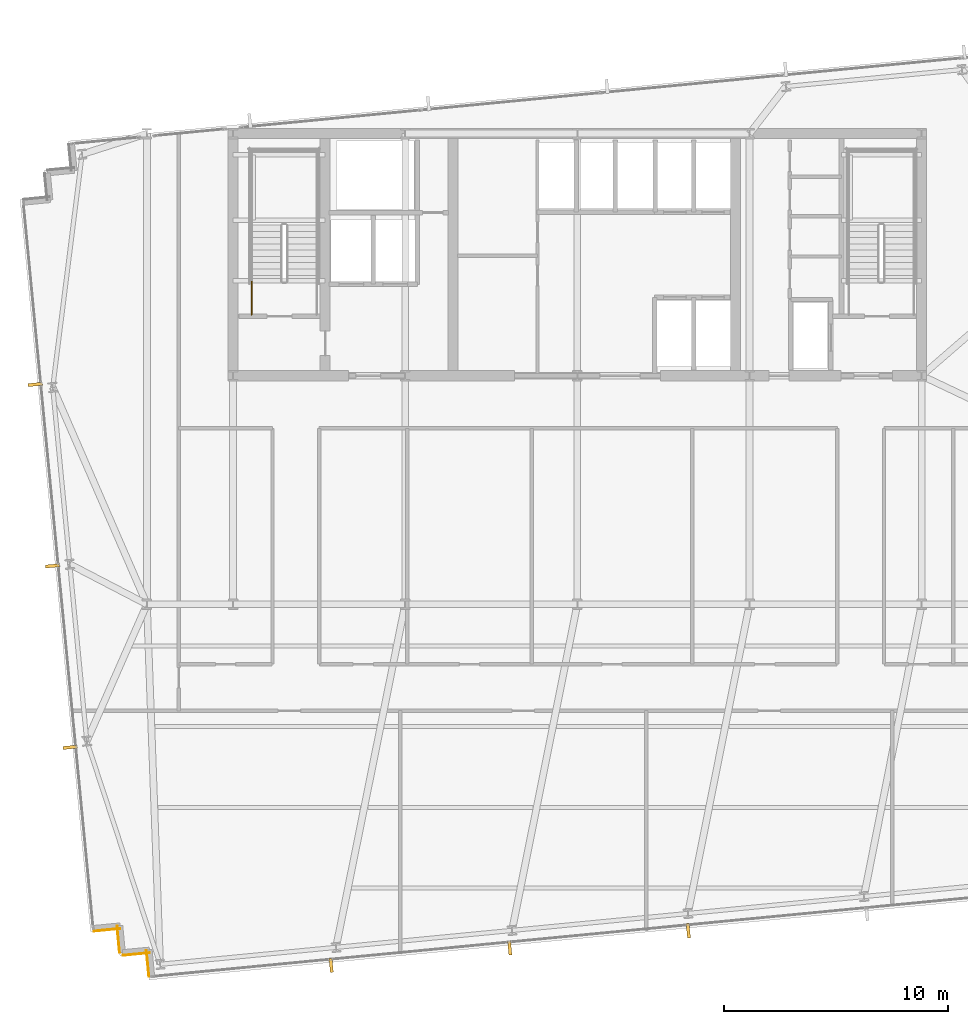
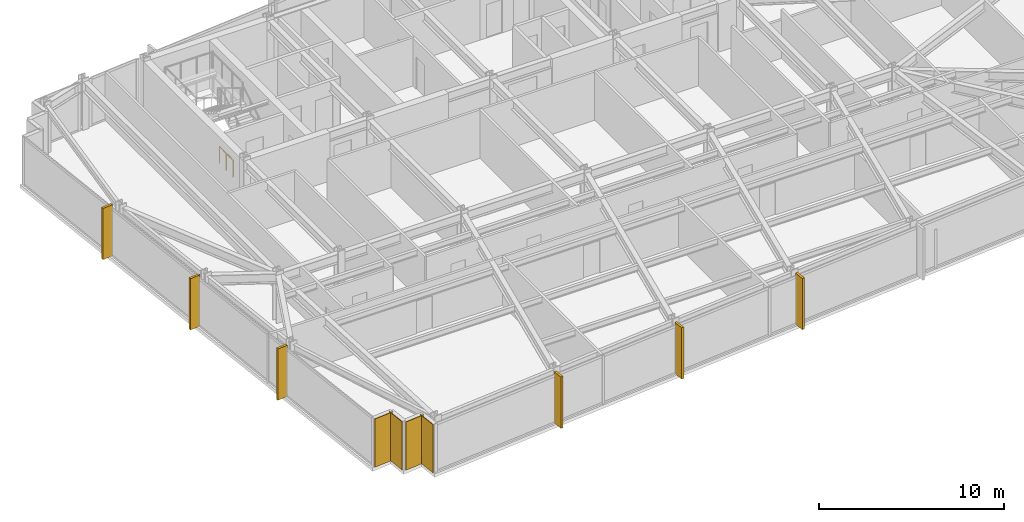
# One storey, part 28 of 33: 6 shading devices, 4 coverings, 1 railing.
"""IFC4 building model written with IfcOpenShell, lengths in metres."""

from ifc_helpers import new_model, si_unit, direction, frame, frame_2d, origin, origin_2d, place, context, subcontext, project, spatial, rectangle, circle, extrude, material, layer, layer_set, type_object, element, save


model = new_model("IFC4")

# Units and contexts
model_context = context("Model", 3, precision=1e-05, world=origin(), true_north=direction((0.0, 1.0)))
body_context = subcontext(model_context, "Body", "Model", "MODEL_VIEW")
ifc_project = project(units=[si_unit("LENGTHUNIT", "METRE"), si_unit("AREAUNIT", "SQUARE_METRE"), si_unit("VOLUMEUNIT", "CUBIC_METRE"), si_unit("PLANEANGLEUNIT", "RADIAN"), si_unit("MASSUNIT", "GRAM", prefix="KILO")], contexts=[model_context])

# Site, building, storey
site_placement = place(None, origin())
site = spatial("IfcSite", under=ifc_project, at=site_placement, CompositionType="ELEMENT")
building_placement = place(site_placement, origin())
building = spatial("IfcBuilding", under=site, at=building_placement, Name="Yelkora Congress Tower", CompositionType="ELEMENT")
storey_placement = place(building_placement, frame((0.0, 0.0, 127.10009765625)))
storey = spatial("IfcBuildingStorey", under=building, at=storey_placement, Name="L34", CompositionType="ELEMENT", Elevation=127.10009765625)

# Coverings
ifc_material_1 = material(Name="Anatolian bush-hammered limestone", Category="masonry")
ifc_layer_1 = layer(ifc_material_1, 0.0400390625)
ifc_layer_set_1 = layer_set([ifc_layer_1], Name="Anatolian bush-hammered limestone")
covering_type = type_object("IfcCoveringType", Name="COV-CLAD-SPANDREL-40", PredefinedType="CLADDING", material=ifc_layer_set_1)
covering_1_placement = place(storey_placement, frame((19.29248046875, 8.58447265625, 0.0), z_axis=(0.0, 0.0, 1.0), x_axis=(-0.095836473879, 0.995397091755, 0.0)))
element("IfcCovering", 1, at=covering_1_placement, inside=storey, type_object=covering_type, Name="L34 Anatolian Limestone Cladding EW-L34-SR01", PredefinedType="CLADDING", context=body_context, shape_type="SweptSolid", body=[
    extrude(rectangle(XDim=1.199951171875, YDim=0.0400390625, at=frame_2d((0.60009765625, 0.0))), origin(), (0.0, 0.0, 1.0), 3.179931640625),
])
for number, where, z_axis, x_axis, name in (
    (2, (19.32470703125, 9.657470703125, 0.0), (0.0, 0.0, 1.0), (-0.995398960025, -0.095817067274, 0.0), "L34 Anatolian Limestone Cladding EW-L34-SR02"),
    (3, (17.98291015625, 9.663818359375, 0.0), (0.0, 0.0, 1.0), (-0.095817067274, 0.995398960025, 0.0), "L34 Anatolian Limestone Cladding EW-L34-SR03"),
):
    element("IfcCovering", number, at=place(storey_placement, frame(where, z_axis=z_axis, x_axis=x_axis)), inside=storey, type_object=covering_type, Name=name, PredefinedType="CLADDING", context=body_context, shape_type="SweptSolid", body=[
        extrude(rectangle(XDim=1.2001953125, YDim=0.0400390625, at=frame_2d((0.60009765625, 0.0))), origin(), (0.0, 0.0, 1.0), 3.179931640625),
    ])
covering_2_placement = place(storey_placement, frame((18.01513671875, 10.737060546875, 0.0), z_axis=(0.0, 0.0, 1.0), x_axis=(-0.995397091755, -0.095836473879, 0.0)))
element("IfcCovering", 4, at=covering_2_placement, inside=storey, type_object=covering_type, Name="L34 Anatolian Limestone Cladding EW-L34-SR04", PredefinedType="CLADDING", context=body_context, shape_type="SweptSolid", body=[
    extrude(rectangle(XDim=1.199951171875, YDim=0.0400390625, at=frame_2d((0.60009765625, 0.0))), origin(), (0.0, 0.0, 1.0), 3.179931640625),
])

# Railing
ifc_material_2 = material(Name="Painted galvanised steel stair well guard with vertical infill", Category="steel")
ifc_layer_2 = layer(ifc_material_2, 0.06005859375)
ifc_layer_set_2 = layer_set([ifc_layer_2], Name="Painted galvanised steel stair well guard with vertical infill")
railing_type = type_object("IfcRailingType", Name="RAIL-STAIR-GUARD-1120", PredefinedType="GUARDRAIL", material=ifc_layer_set_2)
railing_placement = place(storey_placement, frame((23.8701171875, 38.1201171875, 0.0)))
element("IfcRailing", 5, at=railing_placement, inside=storey, type_object=railing_type, Name="ST-01 L34 Stair Well Guardrail 9", PredefinedType="GUARDRAIL", context=body_context, shape_type="SweptSolid", body=[
    extrude(circle(Radius=0.02392578125, at=origin_2d()), frame((0.0, 0.0, 1.09619140625), z_axis=(0.0, 1.0, 0.0), x_axis=(-1.0, 0.0, 0.0)), (0.0, 0.0, 1.0), 1.47998046875),
    extrude(circle(Radius=0.02099609375, at=origin_2d()), origin(), (0.0, 0.0, 1.0), 1.072021484375),
    extrude(circle(Radius=0.02099609375, at=origin_2d()), frame((0.0, 0.739990234375, 0.0)), (0.0, 0.0, 1.0), 1.072021484375),
    extrude(circle(Radius=0.02099609375, at=origin_2d()), frame((0.0, 1.47998046875, 0.0)), (0.0, 0.0, 1.0), 1.072021484375),
])

# Shading devices
ifc_material_3 = material(Name="Champagne anodised aluminium", Category="aluminium")
ifc_layer_3 = layer(ifc_material_3, 3.39990234375)
ifc_layer_set_3 = layer_set([ifc_layer_3], Name="Champagne anodised aluminium")
shading_device_type = type_object("IfcShadingDeviceType", Name="SHD-FIN-ALU-640", PredefinedType="USERDEFINED", material=ifc_layer_set_3)
for number, where, z_axis, x_axis, name in (
    (6, (15.769775390625, 18.823974609375, -0.030029296875), (0.0, 0.0, 1.0), (-0.09584575252, 0.995396198367, 0.0), "L34 Vertical Anodised Solar Fin 5-1"),
    (7, (14.990478515625, 26.91650390625, -0.030029296875), (0.0, 0.0, 1.0), (-0.09584575252, 0.995396198367, 0.0), "L34 Vertical Anodised Solar Fin 5-2"),
    (8, (14.211181640625, 35.00927734375, -0.030029296875), (0.0, 0.0, 1.0), (-0.09584575252, 0.995396198367, 0.0), "L34 Vertical Anodised Solar Fin 5-3"),
    (9, (43.349609375, 10.639892578125, -0.030029296875), (0.0, 0.0, 1.0), (-0.995396198367, -0.09584575252, 0.0), "L34 Vertical Anodised Solar Fin 20-4"),
    (10, (35.3837890625, 9.872802734375, -0.030029296875), (0.0, 0.0, 1.0), (-0.995396198367, -0.09584575252, 0.0), "L34 Vertical Anodised Solar Fin 20-5"),
    (11, (27.417724609375, 9.105712890625, -0.030029296875), (0.0, 0.0, 1.0), (-0.995396198367, -0.09584575252, 0.0), "L34 Vertical Anodised Solar Fin 20-6"),
):
    element("IfcShadingDevice", number, at=place(storey_placement, frame(where, z_axis=z_axis, x_axis=x_axis)), inside=storey, type_object=shading_device_type, Name=name, ObjectType="FIN", PredefinedType="USERDEFINED", context=body_context, shape_type="SweptSolid", body=[
        extrude(rectangle(XDim=0.139892578125, YDim=0.639892578125, at=origin_2d()), origin(), (0.0, 0.0, 1.0), 3.3798828125),
    ])

save(model, "model.ifc")
